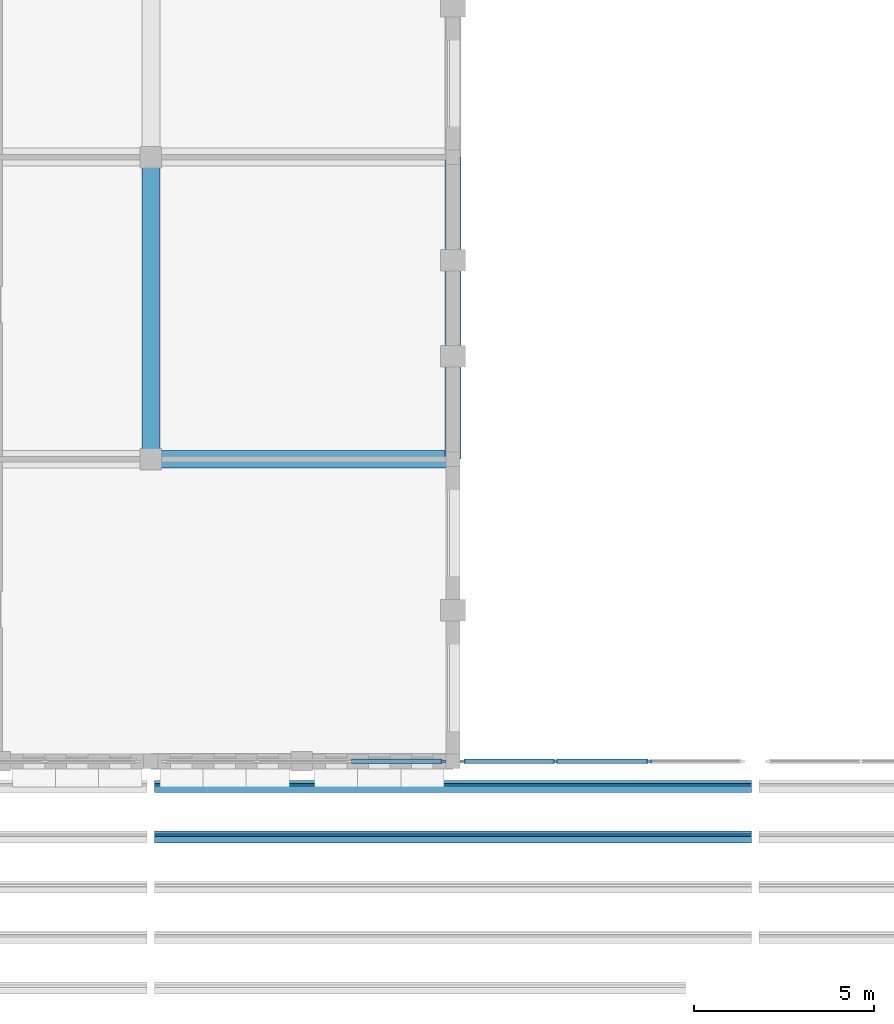
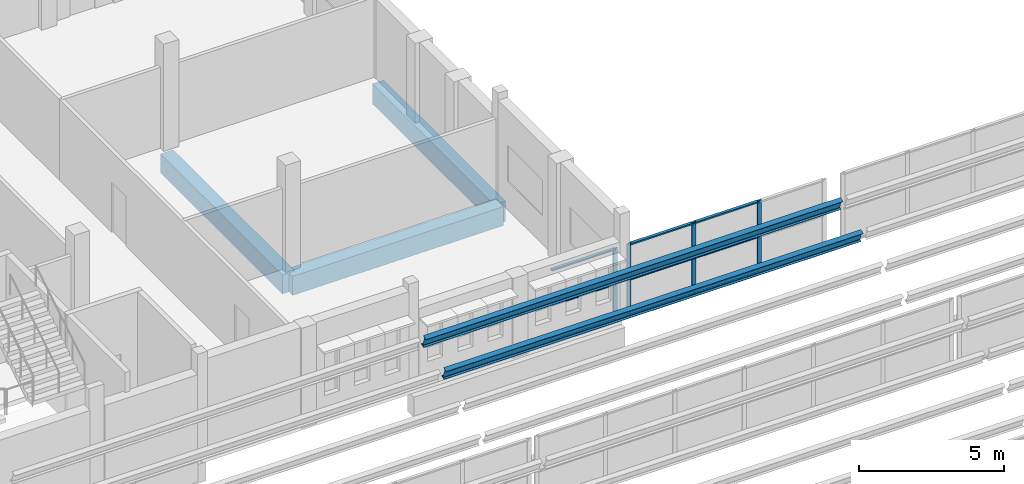
# One storey, part 13 of 116: 15 members, 3 beams, 2 elements without a shape of their own.
"""IFC4 building model written with IfcOpenShell, lengths in metres."""

from ifc_helpers import new_model, si_unit, direction, frame, origin, origin_2d, place, context, subcontext, project, spatial, rectangle, i_section, extrude, material, material_profile, profile_set, type_object, element, aggregate, save


model = new_model("IFC4")

# Units and contexts
model_context = context("Model", 3, precision=1e-05, world=origin(), true_north=direction((0.0, 1.0)))
body_context = subcontext(model_context, "Body", "Model", "MODEL_VIEW")
ifc_project = project(units=[si_unit("LENGTHUNIT", "METRE"), si_unit("AREAUNIT", "SQUARE_METRE"), si_unit("VOLUMEUNIT", "CUBIC_METRE"), si_unit("PLANEANGLEUNIT", "RADIAN"), si_unit("MASSUNIT", "GRAM", prefix="KILO")], contexts=[model_context])

# Site, building, storey
site_placement = place(None, origin())
site = spatial("IfcSite", under=ifc_project, at=site_placement, CompositionType="ELEMENT")
building_placement = place(site_placement, origin())
building = spatial("IfcBuilding", under=site, at=building_placement, Name="Fescue Hill Polytechnic", CompositionType="ELEMENT")
storey_placement = place(building_placement, frame((0.0, 0.0, 13.5)))
storey = spatial("IfcBuildingStorey", under=building, at=storey_placement, Name="L03", CompositionType="ELEMENT", Elevation=13.5)

# Beams
ifc_material_1 = material(Name="Concrete 35 MPa", Category="concrete")
ifc_material_profile_1 = material_profile(ifc_material_1, rectangle(XDim=0.449951171875, YDim=0.85009765625, at=origin_2d()), Name="RC 450x850")
ifc_profile_set_1 = profile_set([ifc_material_profile_1], Name="Concrete 35 MPa")
beam_type_1 = type_object("IfcBeamType", Name="Beam RC 450x850", PredefinedType="BEAM", material=ifc_profile_set_1)
beam_1_placement = place(storey_placement, frame((25.199951171875, 58.800048828125, -0.72509765625), z_axis=(0.0, 1.0, 0.0), x_axis=(-1.0, 0.0, 0.0)))
element("IfcBeam", 1, at=beam_1_placement, inside=storey, type_object=beam_type_1, Name="BM-L03-0051", PredefinedType="BEAM", context=body_context, shape_type="SweptSolid", body=[
    extrude(rectangle(XDim=0.449951171875, YDim=0.85009765625, at=origin_2d()), origin(), (0.0, 0.0, 1.0), 8.39990234375),
])
ifc_material_profile_2 = material_profile(ifc_material_1, rectangle(XDim=0.5, YDim=0.800048828125, at=origin_2d()), Name="RC 500x800")
ifc_profile_set_2 = profile_set([ifc_material_profile_2], Name="Concrete 35 MPa")
beam_type_2 = type_object("IfcBeamType", Name="Beam RC 500x800", PredefinedType="BEAM", material=ifc_profile_set_2)
beam_2_placement = place(storey_placement, frame((16.800048828125, 58.800048828125, -0.699951171875), z_axis=(0.0, 1.0, 0.0), x_axis=(-1.0, 0.0, 0.0)))
element("IfcBeam", 2, at=beam_2_placement, inside=storey, type_object=beam_type_2, Name="BM-L03-0033", PredefinedType="BEAM", context=body_context, shape_type="SweptSolid", body=[
    extrude(rectangle(XDim=0.5, YDim=0.800048828125, at=origin_2d()), origin(), (0.0, 0.0, 1.0), 8.39990234375),
])
beam_3_placement = place(storey_placement, frame((16.81005859375, 58.800048828125, -0.699951171875), z_axis=(1.0, 0.0, 0.0), x_axis=(0.0, 1.0, 0.0)))
element("IfcBeam", 3, at=beam_3_placement, inside=storey, type_object=beam_type_2, Name="BM-L03-0043", PredefinedType="BEAM", context=body_context, shape_type="SweptSolid", body=[
    extrude(rectangle(XDim=0.5, YDim=0.800048828125, at=origin_2d()), origin(), (0.0, 0.0, 1.0), 8.3798828125),
])

# Curtain wall, member
ifc_material_2 = material(Name="Aluminium and glass", Category="aluminium")
curtain_wall_type = type_object("IfcCurtainWallType", Name="Sawtooth north glazing curtain wall", PredefinedType="NOTDEFINED", material=ifc_material_2)
curtain_wall_1_placement = place(storey_placement, origin())
curtain_wall_1 = element("IfcCurtainWall", 4, at=curtain_wall_1_placement, inside=storey, type_object=curtain_wall_type, Name="Sawtooth 4 north glazing bay 2 part 1", PredefinedType="NOTDEFINED")
ifc_material_3 = material(Name="Aluminium", Category="aluminium")
ifc_material_profile_3 = material_profile(ifc_material_3, rectangle(XDim=0.06005859375, YDim=0.159912109375, at=origin_2d()), Name="Curtain wall mullion 60x160")
ifc_profile_set_3 = profile_set([ifc_material_profile_3], Name="Aluminium")
member_type_1 = type_object("IfcMemberType", Name="Curtain wall mullion 60x160", PredefinedType="MULLION", material=ifc_profile_set_3)
member_1_placement = place(storey_placement, frame((24.929931640625, 50.39990234375, 0.0), z_axis=(0.0, 0.0, 1.0), x_axis=(0.0, 1.0, 0.0)))
member_1 = element("IfcMember", 5, at=member_1_placement, type_object=member_type_1, Name="CW24 mullion 4", PredefinedType="MULLION", context=body_context, shape_type="SweptSolid", body=[
    extrude(rectangle(XDim=0.06005859375, YDim=0.159912109375, at=origin_2d()), origin(), (0.0, 0.0, 1.0), 3.0),
])

# Curtain wall, members
curtain_wall_2_placement = place(storey_placement, origin())
curtain_wall_2 = element("IfcCurtainWall", 6, at=curtain_wall_2_placement, inside=storey, type_object=curtain_wall_type, Name="Sawtooth 4 north glazing bay 2 part 2", PredefinedType="NOTDEFINED")
member_2_placement = place(storey_placement, frame((25.469970703125, 50.39990234375, 0.0), z_axis=(0.0, 0.0, 1.0), x_axis=(0.0, 1.0, 0.0)))
member_2 = element("IfcMember", 7, at=member_2_placement, type_object=member_type_1, Name="CW25 mullion 1", PredefinedType="MULLION", context=body_context, shape_type="SweptSolid", body=[
    extrude(rectangle(XDim=0.06005859375, YDim=0.159912109375, at=origin_2d()), origin(), (0.0, 0.0, 1.0), 3.0),
])
member_3_placement = place(storey_placement, frame((28.046630859375, 50.39990234375, 0.0), z_axis=(0.0, 0.0, 1.0), x_axis=(0.0, 1.0, 0.0)))
member_3 = element("IfcMember", 8, at=member_3_placement, type_object=member_type_1, Name="CW25 mullion 2", PredefinedType="MULLION", context=body_context, shape_type="SweptSolid", body=[
    extrude(rectangle(XDim=0.06005859375, YDim=0.159912109375, at=origin_2d()), origin(), (0.0, 0.0, 1.0), 3.0),
])
member_4_placement = place(storey_placement, frame((30.6533203125, 50.39990234375, 0.0), z_axis=(0.0, 0.0, 1.0), x_axis=(0.0, 1.0, 0.0)))
member_4 = element("IfcMember", 9, at=member_4_placement, type_object=member_type_1, Name="CW25 mullion 3", PredefinedType="MULLION", context=body_context, shape_type="SweptSolid", body=[
    extrude(rectangle(XDim=0.06005859375, YDim=0.159912109375, at=origin_2d()), origin(), (0.0, 0.0, 1.0), 3.0),
])

# Member
ifc_material_profile_4 = material_profile(ifc_material_3, rectangle(XDim=0.1201171875, YDim=0.06005859375, at=origin_2d()), Name="Curtain wall transom 60x120")
ifc_profile_set_4 = profile_set([ifc_material_profile_4], Name="Aluminium")
member_type_2 = type_object("IfcMemberType", Name="Curtain wall transom 60x120", PredefinedType="USERDEFINED", material=ifc_profile_set_4)
member_5_placement = place(storey_placement, frame((22.38330078125, 50.39990234375, 0.030029296875), z_axis=(1.0, 0.0, 0.0), x_axis=(0.0, 1.0, 0.0)))
member_5 = element("IfcMember", 10, at=member_5_placement, type_object=member_type_2, Name="CW24 transom 3.1", ObjectType="TRANSOM", PredefinedType="USERDEFINED", context=body_context, shape_type="SweptSolid", body=[
    extrude(rectangle(XDim=0.1201171875, YDim=0.06005859375, at=origin_2d()), origin(), (0.0, 0.0, 1.0), 2.5166015625),
])

member_6_placement = place(storey_placement, frame((22.38330078125, 50.39990234375, 1.5), z_axis=(1.0, 0.0, 0.0), x_axis=(0.0, 1.0, 0.0)))
member_6 = element("IfcMember", 11, at=member_6_placement, type_object=member_type_2, Name="CW24 transom 3.2", ObjectType="TRANSOM", PredefinedType="USERDEFINED", context=body_context, shape_type="SweptSolid", body=[
    extrude(rectangle(XDim=0.1201171875, YDim=0.06005859375, at=origin_2d()), origin(), (0.0, 0.0, 1.0), 2.5166015625),
])

member_7_placement = place(storey_placement, frame((22.38330078125, 50.39990234375, 2.969970703125), z_axis=(1.0, 0.0, 0.0), x_axis=(0.0, 1.0, 0.0)))
member_7 = element("IfcMember", 12, at=member_7_placement, type_object=member_type_2, Name="CW24 transom 3.3", ObjectType="TRANSOM", PredefinedType="USERDEFINED", context=body_context, shape_type="SweptSolid", body=[
    extrude(rectangle(XDim=0.1201171875, YDim=0.06005859375, at=origin_2d()), origin(), (0.0, 0.0, 1.0), 2.5166015625),
])

aggregate(curtain_wall_1, [member_1, member_5, member_6, member_7])

member_8_placement = place(storey_placement, frame((25.5, 50.39990234375, 0.030029296875), z_axis=(1.0, 0.0, 0.0), x_axis=(0.0, 1.0, 0.0)))
member_8 = element("IfcMember", 13, at=member_8_placement, type_object=member_type_2, Name="CW25 transom 1.1", ObjectType="TRANSOM", PredefinedType="USERDEFINED", context=body_context, shape_type="SweptSolid", body=[
    extrude(rectangle(XDim=0.1201171875, YDim=0.06005859375, at=origin_2d()), origin(), (0.0, 0.0, 1.0), 2.5166015625),
])

member_9_placement = place(storey_placement, frame((25.5, 50.39990234375, 1.5), z_axis=(1.0, 0.0, 0.0), x_axis=(0.0, 1.0, 0.0)))
member_9 = element("IfcMember", 14, at=member_9_placement, type_object=member_type_2, Name="CW25 transom 1.2", ObjectType="TRANSOM", PredefinedType="USERDEFINED", context=body_context, shape_type="SweptSolid", body=[
    extrude(rectangle(XDim=0.1201171875, YDim=0.06005859375, at=origin_2d()), origin(), (0.0, 0.0, 1.0), 2.5166015625),
])

member_10_placement = place(storey_placement, frame((25.5, 50.39990234375, 2.969970703125), z_axis=(1.0, 0.0, 0.0), x_axis=(0.0, 1.0, 0.0)))
member_10 = element("IfcMember", 15, at=member_10_placement, type_object=member_type_2, Name="CW25 transom 1.3", ObjectType="TRANSOM", PredefinedType="USERDEFINED", context=body_context, shape_type="SweptSolid", body=[
    extrude(rectangle(XDim=0.1201171875, YDim=0.06005859375, at=origin_2d()), origin(), (0.0, 0.0, 1.0), 2.5166015625),
])

member_11_placement = place(storey_placement, frame((28.07666015625, 50.39990234375, 0.030029296875), z_axis=(1.0, 0.0, 0.0), x_axis=(0.0, 1.0, 0.0)))
member_11 = element("IfcMember", 16, at=member_11_placement, type_object=member_type_2, Name="CW25 transom 2.1", ObjectType="TRANSOM", PredefinedType="USERDEFINED", context=body_context, shape_type="SweptSolid", body=[
    extrude(rectangle(XDim=0.1201171875, YDim=0.06005859375, at=origin_2d()), origin(), (0.0, 0.0, 1.0), 2.546630859375),
])

member_12_placement = place(storey_placement, frame((28.07666015625, 50.39990234375, 1.5), z_axis=(1.0, 0.0, 0.0), x_axis=(0.0, 1.0, 0.0)))
member_12 = element("IfcMember", 17, at=member_12_placement, type_object=member_type_2, Name="CW25 transom 2.2", ObjectType="TRANSOM", PredefinedType="USERDEFINED", context=body_context, shape_type="SweptSolid", body=[
    extrude(rectangle(XDim=0.1201171875, YDim=0.06005859375, at=origin_2d()), origin(), (0.0, 0.0, 1.0), 2.546630859375),
])

member_13_placement = place(storey_placement, frame((28.07666015625, 50.39990234375, 2.969970703125), z_axis=(1.0, 0.0, 0.0), x_axis=(0.0, 1.0, 0.0)))
member_13 = element("IfcMember", 18, at=member_13_placement, type_object=member_type_2, Name="CW25 transom 2.3", ObjectType="TRANSOM", PredefinedType="USERDEFINED", context=body_context, shape_type="SweptSolid", body=[
    extrude(rectangle(XDim=0.1201171875, YDim=0.06005859375, at=origin_2d()), origin(), (0.0, 0.0, 1.0), 2.546630859375),
])

aggregate(curtain_wall_2, [member_2, member_3, member_4, member_8, member_9, member_10, member_11, member_12, member_13])

# Members
ifc_material_4 = material(Name="Steel 350W (350 MPa)", Category="steel")
ifc_material_profile_5 = material_profile(ifc_material_4, i_section(OverallWidth=0.18994140625, OverallDepth=0.45703125, WebThickness=0.009033203125, FlangeThickness=0.014404296875, FilletRadius=0.0166015625, at=origin_2d()), Name="W460x74")
ifc_profile_set_5 = profile_set([ifc_material_profile_5], Name="Steel 350W (350 MPa)")
member_type_3 = type_object("IfcMemberType", Name="Tooth purlin W460x74", PredefinedType="PURLIN", material=ifc_profile_set_5)
member_14_placement = place(storey_placement, frame((16.904541015625, 48.300048828125, 1.794921875), z_axis=(1.0, 0.0, 0.0), x_axis=(0.0, 0.941741911595, 0.336336396997)))
element("IfcMember", 19, at=member_14_placement, inside=storey, type_object=member_type_3, Name="Tooth 4 purlin 5 bay 2", PredefinedType="PURLIN", context=body_context, shape_type="SweptSolid", body=[
    extrude(i_section(OverallWidth=0.18994140625, OverallDepth=0.45703125, WebThickness=0.009033203125, FlangeThickness=0.014404296875, FilletRadius=0.0166015625, at=origin_2d()), origin(), (0.0, 0.0, 1.0), 16.591064453125),
])
ifc_material_profile_6 = material_profile(ifc_material_4, i_section(OverallWidth=0.193115234375, OverallDepth=0.466064453125, WebThickness=0.011474609375, FlangeThickness=0.01904296875, FilletRadius=0.01708984375, at=origin_2d()), Name="W460x97")
ifc_profile_set_6 = profile_set([ifc_material_profile_6], Name="Steel 350W (350 MPa)")
member_type_4 = type_object("IfcMemberType", Name="Tooth ridge purlin W460x97", PredefinedType="PURLIN", material=ifc_profile_set_6)
member_15_placement = place(storey_placement, frame((16.904541015625, 49.699951171875, 2.290283203125), z_axis=(1.0, 0.0, 0.0), x_axis=(0.0, 0.941741911595, 0.336336396997)))
element("IfcMember", 20, at=member_15_placement, inside=storey, type_object=member_type_4, Name="Tooth 4 ridge purlin bay 2", PredefinedType="PURLIN", context=body_context, shape_type="SweptSolid", body=[
    extrude(i_section(OverallWidth=0.193115234375, OverallDepth=0.466064453125, WebThickness=0.011474609375, FlangeThickness=0.01904296875, FilletRadius=0.01708984375, at=origin_2d()), origin(), (0.0, 0.0, 1.0), 16.591064453125),
])

save(model, "model.ifc")
